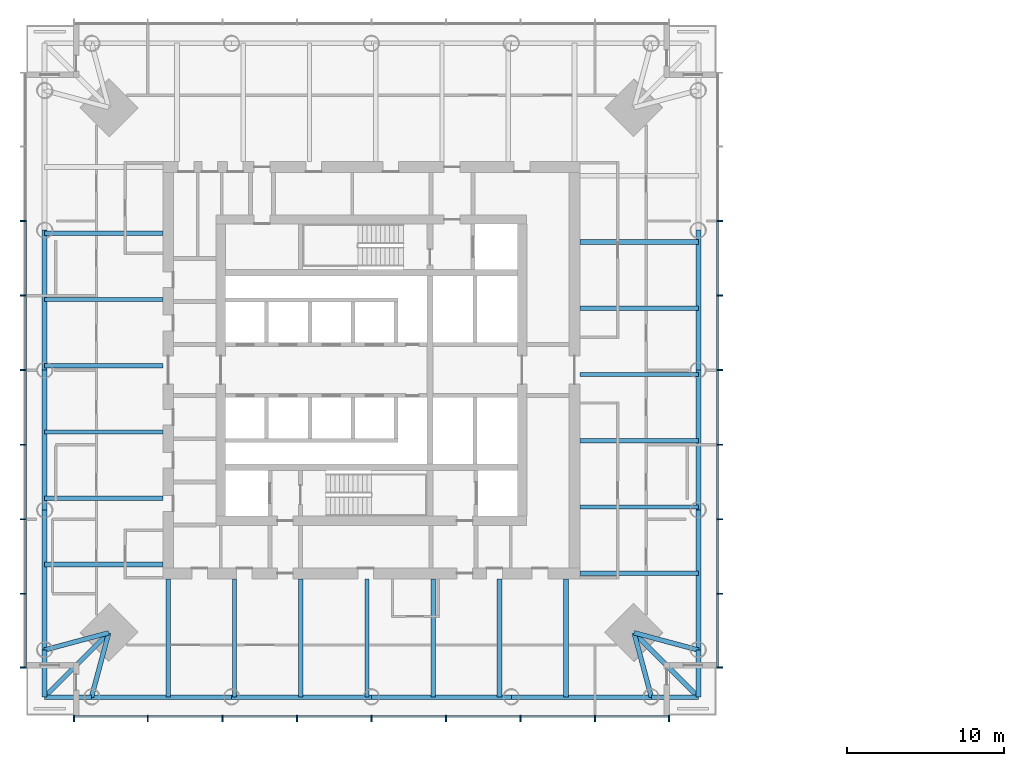
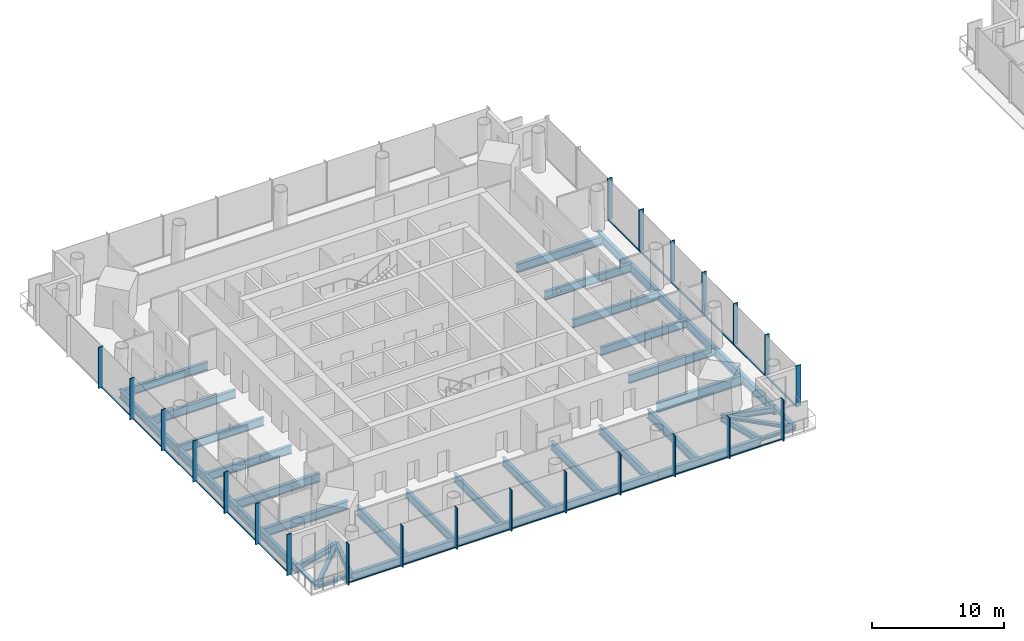
# One storey, part 2 of 19: 43 members, 39 beams, 3 elements without a shape of their own.
"""IFC4 building model written with IfcOpenShell, lengths in metres."""

from ifc_helpers import new_model, si_unit, direction, frame, origin, origin_2d, place, context, subcontext, project, spatial, rectangle, i_section, extrude, material, material_profile, profile_set, type_object, element, aggregate, save


model = new_model("IFC4")

# Units and contexts
model_context = context("Model", 3, precision=1e-05, world=origin(), true_north=direction((0.0, 1.0)))
body_context = subcontext(model_context, "Body", "Model", "MODEL_VIEW")
ifc_project = project(units=[si_unit("LENGTHUNIT", "METRE"), si_unit("AREAUNIT", "SQUARE_METRE"), si_unit("VOLUMEUNIT", "CUBIC_METRE"), si_unit("PLANEANGLEUNIT", "RADIAN"), si_unit("MASSUNIT", "GRAM", prefix="KILO")], contexts=[model_context])

# Site, building, storey
site_placement = place(None, origin())
site = spatial("IfcSite", under=ifc_project, at=site_placement, CompositionType="ELEMENT")
building_placement = place(site_placement, origin())
building = spatial("IfcBuilding", under=site, at=building_placement, Name="Ostroluk Exchange", CompositionType="ELEMENT")
storey_placement = place(building_placement, frame((0.0, 0.0, 119.800048828125)))
storey = spatial("IfcBuildingStorey", under=building, at=storey_placement, Name="L30", CompositionType="ELEMENT", Elevation=119.800048828125)

# Beams
ifc_material_1 = material(Name="Steel S355", Category="steel")
ifc_material_profile_1 = material_profile(ifc_material_1, i_section(OverallWidth=0.300048828125, OverallDepth=0.300048828125, WebThickness=0.010986328125, FlangeThickness=0.01904296875, FilletRadius=0.027099609375, at=origin_2d()), Name="HEB 300")
ifc_profile_set_1 = profile_set([ifc_material_profile_1], Name="Steel S355")
beam_type_1 = type_object("IfcBeamType", Name="Balcony beam HEB 300", PredefinedType="BEAM", material=ifc_profile_set_1)
for number, where, z_axis, x_axis, name in (
    (1, (24.1572265625, 28.1572265625, -0.330078125), (0.0, -1.0, 0.0), (1.0, 0.0, 0.0), "T1 west balcony beam a"),
    (2, (27.1572265625, 25.1572265625, -0.330078125), (-1.0, 0.0, 0.0), (0.0, -1.0, 0.0), "T1 west balcony beam b"),
):
    element("IfcBeam", number, at=place(storey_placement, frame(where, z_axis=z_axis, x_axis=x_axis)), inside=storey, type_object=beam_type_1, Name=name, PredefinedType="BEAM", context=body_context, shape_type="SweptSolid", body=[
        extrude(i_section(OverallWidth=0.300048828125, OverallDepth=0.300048828125, WebThickness=0.010986328125, FlangeThickness=0.01904296875, FilletRadius=0.027099609375, at=origin_2d()), origin(), (0.0, 0.0, 1.0), 3.0),
    ])
beam_1_placement = place(storey_placement, frame((28.257080078125, 29.257080078125, -0.330078125), z_axis=(-0.707106781187, -0.707106781187, 0.0), x_axis=(0.707106781187, -0.707106781187, 0.0)))
element("IfcBeam", 3, at=beam_1_placement, inside=storey, type_object=beam_type_1, Name="T1 west balcony beam c", PredefinedType="BEAM", context=body_context, shape_type="SweptSolid", body=[
    extrude(i_section(OverallWidth=0.300048828125, OverallDepth=0.300048828125, WebThickness=0.010986328125, FlangeThickness=0.01904296875, FilletRadius=0.027099609375, at=origin_2d()), origin(), (0.0, 0.0, 1.0), 5.798095703125),
])
for number, where, z_axis, x_axis, name in (
    (4, (62.8427734375, 25.1572265625, -0.330078125), (1.0, 0.0, 0.0), (0.0, 1.0, 0.0), "T1 south balcony beam a"),
    (5, (65.8427734375, 28.1572265625, -0.330078125), (0.0, -1.0, 0.0), (1.0, 0.0, 0.0), "T1 south balcony beam b"),
):
    element("IfcBeam", number, at=place(storey_placement, frame(where, z_axis=z_axis, x_axis=x_axis)), inside=storey, type_object=beam_type_1, Name=name, PredefinedType="BEAM", context=body_context, shape_type="SweptSolid", body=[
        extrude(i_section(OverallWidth=0.300048828125, OverallDepth=0.300048828125, WebThickness=0.010986328125, FlangeThickness=0.01904296875, FilletRadius=0.027099609375, at=origin_2d()), origin(), (0.0, 0.0, 1.0), 3.0),
    ])
beam_2_placement = place(storey_placement, frame((61.742919921875, 29.257080078125, -0.330078125), z_axis=(0.707106781187, -0.707106781187, 0.0), x_axis=(0.707106781187, 0.707106781187, 0.0)))
element("IfcBeam", 6, at=beam_2_placement, inside=storey, type_object=beam_type_1, Name="T1 south balcony beam c", PredefinedType="BEAM", context=body_context, shape_type="SweptSolid", body=[
    extrude(i_section(OverallWidth=0.300048828125, OverallDepth=0.300048828125, WebThickness=0.010986328125, FlangeThickness=0.01904296875, FilletRadius=0.027099609375, at=origin_2d()), origin(), (0.0, 0.0, 1.0), 5.798095703125),
])
ifc_material_2 = material(Name="Steel S355", Category="steel")
ifc_material_profile_2 = material_profile(ifc_material_2, i_section(OverallWidth=0.300048828125, OverallDepth=0.550048828125, WebThickness=0.014892578125, FlangeThickness=0.029052734375, FilletRadius=0.027099609375, at=origin_2d()), Name="HEB 550")
ifc_profile_set_2 = profile_set([ifc_material_profile_2], Name="Steel S355")
beam_type_2 = type_object("IfcBeamType", Name="Corner edge beam HEB 550", PredefinedType="SPANDREL", material=ifc_profile_set_2)
for number, where, z_axis, x_axis, name in (
    (7, (28.257080078125, 29.257080078125, -0.455078125), (-0.965849156574, -0.259105011038, 0.0), (0.259105011038, -0.965849156574, 0.0), "T1 west corner edge beam a"),
    (8, (28.257080078125, 29.257080078125, -0.455078125), (-0.259105011038, -0.965849156574, 0.0), (0.965849156574, -0.259105011038, 0.0), "T1 west corner edge beam b"),
    (9, (61.742919921875, 29.257080078125, -0.455078125), (0.259105011038, -0.965849156574, 0.0), (0.965849156574, 0.259105011038, 0.0), "T1 south corner edge beam a"),
    (10, (61.742919921875, 29.257080078125, -0.455078125), (0.965849156574, -0.259105011038, 0.0), (0.259105011038, 0.965849156574, 0.0), "T1 south corner edge beam b"),
):
    element("IfcBeam", number, at=place(storey_placement, frame(where, z_axis=z_axis, x_axis=x_axis)), inside=storey, type_object=beam_type_2, Name=name, PredefinedType="SPANDREL", context=body_context, shape_type="SweptSolid", body=[
        extrude(i_section(OverallWidth=0.300048828125, OverallDepth=0.550048828125, WebThickness=0.014892578125, FlangeThickness=0.029052734375, FilletRadius=0.027099609375, at=origin_2d()), origin(), (0.0, 0.0, 1.0), 4.244873046875),
    ])
ifc_material_3 = material(Name="Steel S355", Category="steel")
ifc_material_profile_3 = material_profile(ifc_material_3, i_section(OverallWidth=0.302978515625, OverallDepth=0.81396484375, WebThickness=0.02099609375, FlangeThickness=0.0400390625, FilletRadius=0.030029296875, at=origin_2d()), Name="HEM 800")
ifc_profile_set_3 = profile_set([ifc_material_profile_3], Name="Steel S355")
beam_type_3 = type_object("IfcBeamType", Name="Floor beam HEM 800", PredefinedType="BEAM", material=ifc_profile_set_3)
for number, where, z_axis, x_axis, name in (
    (11, (58.300048828125, 54.170654296875, -0.587158203125), (1.0, 0.0, 0.0), (0.0, 1.0, 0.0), "T1 east floor beam 5"),
    (12, (31.699951171875, 37.829345703125, -0.587158203125), (-1.0, 0.0, 0.0), (0.0, -1.0, 0.0), "T1 west floor beam 5"),
    (13, (31.699951171875, 33.60546875, -0.587158203125), (-1.0, 0.0, 0.0), (0.0, -1.0, 0.0), "T1 west floor beam 6"),
    (14, (53.170654296875, 32.699951171875, -0.587158203125), (0.0, -1.0, 0.0), (1.0, 0.0, 0.0), "T1 south floor beam 5"),
    (15, (57.39453125, 32.699951171875, -0.587158203125), (0.0, -1.0, 0.0), (1.0, 0.0, 0.0), "T1 south floor beam 6"),
):
    element("IfcBeam", number, at=place(storey_placement, frame(where, z_axis=z_axis, x_axis=x_axis)), inside=storey, type_object=beam_type_3, Name=name, PredefinedType="BEAM", context=body_context, shape_type="SweptSolid", body=[
        extrude(i_section(OverallWidth=0.302978515625, OverallDepth=0.81396484375, WebThickness=0.02099609375, FlangeThickness=0.0400390625, FilletRadius=0.030029296875, at=origin_2d()), origin(), (0.0, 0.0, 1.0), 7.542724609375),
    ])
ifc_material_4 = material(Name="Steel S355", Category="steel")
ifc_material_profile_4 = material_profile(ifc_material_4, i_section(OverallWidth=0.26708984375, OverallDepth=0.761962890625, WebThickness=0.014404296875, FlangeThickness=0.021484375, FilletRadius=0.01708984375, at=origin_2d()), Name="IPE 750x173")
ifc_profile_set_4 = profile_set([ifc_material_profile_4], Name="Steel S355")
beam_type_4 = type_object("IfcBeamType", Name="Floor beam IPE 750x173", PredefinedType="BEAM", material=ifc_profile_set_4)
for number, where, z_axis, x_axis, name in (
    (16, (58.300048828125, 37.274169921875, -0.56103515625), (1.0, 0.0, 0.0), (0.0, 1.0, 0.0), "T1 east floor beam 1"),
    (17, (58.300048828125, 41.498291015625, -0.56103515625), (1.0, 0.0, 0.0), (0.0, 1.0, 0.0), "T1 east floor beam 2"),
    (18, (58.300048828125, 45.722412109375, -0.56103515625), (1.0, 0.0, 0.0), (0.0, 1.0, 0.0), "T1 east floor beam 3"),
    (19, (58.300048828125, 49.946533203125, -0.56103515625), (1.0, 0.0, 0.0), (0.0, 1.0, 0.0), "T1 east floor beam 4"),
    (20, (31.699951171875, 54.725830078125, -0.56103515625), (-1.0, 0.0, 0.0), (0.0, -1.0, 0.0), "T1 west floor beam 1"),
    (21, (31.699951171875, 50.501708984375, -0.56103515625), (-1.0, 0.0, 0.0), (0.0, -1.0, 0.0), "T1 west floor beam 2"),
    (22, (31.699951171875, 46.277587890625, -0.56103515625), (-1.0, 0.0, 0.0), (0.0, -1.0, 0.0), "T1 west floor beam 3"),
    (23, (31.699951171875, 42.053466796875, -0.56103515625), (-1.0, 0.0, 0.0), (0.0, -1.0, 0.0), "T1 west floor beam 4"),
    (24, (36.274169921875, 32.699951171875, -0.56103515625), (0.0, -1.0, 0.0), (1.0, 0.0, 0.0), "T1 south floor beam 1"),
    (25, (40.498291015625, 32.699951171875, -0.56103515625), (0.0, -1.0, 0.0), (1.0, 0.0, 0.0), "T1 south floor beam 2"),
    (26, (44.722412109375, 32.699951171875, -0.56103515625), (0.0, -1.0, 0.0), (1.0, 0.0, 0.0), "T1 south floor beam 3"),
    (27, (48.946533203125, 32.699951171875, -0.56103515625), (0.0, -1.0, 0.0), (1.0, 0.0, 0.0), "T1 south floor beam 4"),
):
    element("IfcBeam", number, at=place(storey_placement, frame(where, z_axis=z_axis, x_axis=x_axis)), inside=storey, type_object=beam_type_4, Name=name, PredefinedType="BEAM", context=body_context, shape_type="SweptSolid", body=[
        extrude(i_section(OverallWidth=0.26708984375, OverallDepth=0.761962890625, WebThickness=0.014404296875, FlangeThickness=0.021484375, FilletRadius=0.01708984375, at=origin_2d()), origin(), (0.0, 0.0, 1.0), 7.542724609375),
    ])
ifc_material_5 = material(Name="Steel S355", Category="steel")
ifc_material_profile_5 = material_profile(ifc_material_5, i_section(OverallWidth=0.300048828125, OverallDepth=0.89990234375, WebThickness=0.0185546875, FlangeThickness=0.034912109375, FilletRadius=0.030029296875, at=origin_2d()), Name="HEB 900")
ifc_profile_set_5 = profile_set([ifc_material_profile_5], Name="Steel S355")
beam_type_5 = type_object("IfcBeamType", Name="Girder HEB 900", PredefinedType="BEAM", material=ifc_profile_set_5)
for number, where, z_axis, x_axis, name in (
    (28, (32.050048828125, 32.699951171875, -0.630126953125), (0.0, -1.0, 0.0), (1.0, 0.0, 0.0), "T1 west girder"),
    (29, (58.300048828125, 33.050048828125, -0.630126953125), (1.0, 0.0, 0.0), (0.0, 1.0, 0.0), "T1 south girder"),
):
    element("IfcBeam", number, at=place(storey_placement, frame(where, z_axis=z_axis, x_axis=x_axis)), inside=storey, type_object=beam_type_5, Name=name, PredefinedType="BEAM", context=body_context, shape_type="SweptSolid", body=[
        extrude(i_section(OverallWidth=0.300048828125, OverallDepth=0.89990234375, WebThickness=0.0185546875, FlangeThickness=0.034912109375, FilletRadius=0.030029296875, at=origin_2d()), origin(), (0.0, 0.0, 1.0), 7.542724609375),
    ])
ifc_material_6 = material(Name="Steel S355", Category="steel")
ifc_material_profile_6 = material_profile(ifc_material_6, i_section(OverallWidth=0.300048828125, OverallDepth=0.800048828125, WebThickness=0.017578125, FlangeThickness=0.032958984375, FilletRadius=0.030029296875, at=origin_2d()), Name="HEB 800")
ifc_profile_set_6 = profile_set([ifc_material_profile_6], Name="Steel S355")
beam_type_6 = type_object("IfcBeamType", Name="Moment-connected edge beam HEB 800", PredefinedType="SPANDREL", material=ifc_profile_set_6)
for number, where, z_axis, x_axis, name in (
    (30, (65.8427734375, 28.1572265625, -0.580078125), (0.0, 1.0, 0.0), (-1.0, 0.0, 0.0), "T1 east edge beam 1"),
    (31, (65.8427734375, 37.07861328125, -0.580078125), (0.0, 1.0, 0.0), (-1.0, 0.0, 0.0), "T1 east edge beam 2"),
    (32, (65.8427734375, 46.0, -0.580078125), (0.0, 1.0, 0.0), (-1.0, 0.0, 0.0), "T1 east edge beam 3"),
    (33, (24.1572265625, 54.92138671875, -0.580078125), (0.0, -1.0, 0.0), (1.0, 0.0, 0.0), "T1 west edge beam 2"),
    (34, (24.1572265625, 46.0, -0.580078125), (0.0, -1.0, 0.0), (1.0, 0.0, 0.0), "T1 west edge beam 3"),
    (35, (24.1572265625, 37.07861328125, -0.580078125), (0.0, -1.0, 0.0), (1.0, 0.0, 0.0), "T1 west edge beam 4"),
    (36, (27.1572265625, 25.1572265625, -0.580078125), (1.0, 0.0, 0.0), (0.0, 1.0, 0.0), "T1 south edge beam 1"),
    (37, (36.07861328125, 25.1572265625, -0.580078125), (1.0, 0.0, 0.0), (0.0, 1.0, 0.0), "T1 south edge beam 2"),
    (38, (45.0, 25.1572265625, -0.580078125), (1.0, 0.0, 0.0), (0.0, 1.0, 0.0), "T1 south edge beam 3"),
    (39, (53.92138671875, 25.1572265625, -0.580078125), (1.0, 0.0, 0.0), (0.0, 1.0, 0.0), "T1 south edge beam 4"),
):
    element("IfcBeam", number, at=place(storey_placement, frame(where, z_axis=z_axis, x_axis=x_axis)), inside=storey, type_object=beam_type_6, Name=name, PredefinedType="SPANDREL", context=body_context, shape_type="SweptSolid", body=[
        extrude(i_section(OverallWidth=0.300048828125, OverallDepth=0.800048828125, WebThickness=0.017578125, FlangeThickness=0.032958984375, FilletRadius=0.030029296875, at=origin_2d()), origin(), (0.0, 0.0, 1.0), 8.92138671875),
    ])

# Curtain wall, members
ifc_material_7 = material(Name="Laminated clear glass", Category="glass")
curtain_wall_type = type_object("IfcCurtainWallType", Name="Office tower facade", PredefinedType="USERDEFINED", material=ifc_material_7)
curtain_wall_1_placement = place(storey_placement, origin())
curtain_wall_1 = element("IfcCurtainWall", 40, at=curtain_wall_1_placement, inside=storey, type_object=curtain_wall_type, Name="Office tower south facade L30", ObjectType="UNITISED CURTAIN WALL", PredefinedType="USERDEFINED")
ifc_material_8 = material(Name="Aluminium mullion", Category="aluminium")
ifc_material_profile_7 = material_profile(ifc_material_8, rectangle(XDim=0.14990234375, YDim=0.080078125, at=origin_2d()), Name="Sill transom 80 x 150")
ifc_profile_set_7 = profile_set([ifc_material_profile_7], Name="Aluminium mullion")
member_type_1 = type_object("IfcMemberType", Name="Sill transom 80 x 150", PredefinedType="USERDEFINED", material=ifc_profile_set_7)
member_1_placement = place(storey_placement, frame((26.080078125, 23.925048828125, 0.0400390625), z_axis=(1.0, 0.0, 0.0), x_axis=(0.0, 1.0, 0.0)))
member_1 = element("IfcMember", 41, at=member_1_placement, type_object=member_type_1, Name="CW-O1 transom 1.1", ObjectType="TRANSOM", PredefinedType="USERDEFINED", context=body_context, shape_type="SweptSolid", body=[
    extrude(rectangle(XDim=0.14990234375, YDim=0.080078125, at=origin_2d()), origin(), (0.0, 0.0, 1.0), 4.6298828125),
])
member_2_placement = place(storey_placement, frame((30.7900390625, 23.925048828125, 0.0400390625), z_axis=(1.0, 0.0, 0.0), x_axis=(0.0, 1.0, 0.0)))
member_2 = element("IfcMember", 42, at=member_2_placement, type_object=member_type_1, Name="CW-O1 transom 2.1", ObjectType="TRANSOM", PredefinedType="USERDEFINED", context=body_context, shape_type="SweptSolid", body=[
    extrude(rectangle(XDim=0.14990234375, YDim=0.080078125, at=origin_2d()), origin(), (0.0, 0.0, 1.0), 4.669921875),
])
member_3_placement = place(storey_placement, frame((35.5400390625, 23.925048828125, 0.0400390625), z_axis=(1.0, 0.0, 0.0), x_axis=(0.0, 1.0, 0.0)))
member_3 = element("IfcMember", 43, at=member_3_placement, type_object=member_type_1, Name="CW-O1 transom 3.1", ObjectType="TRANSOM", PredefinedType="USERDEFINED", context=body_context, shape_type="SweptSolid", body=[
    extrude(rectangle(XDim=0.14990234375, YDim=0.080078125, at=origin_2d()), origin(), (0.0, 0.0, 1.0), 4.669921875),
])
member_4_placement = place(storey_placement, frame((40.2900390625, 23.925048828125, 0.0400390625), z_axis=(1.0, 0.0, 0.0), x_axis=(0.0, 1.0, 0.0)))
member_4 = element("IfcMember", 44, at=member_4_placement, type_object=member_type_1, Name="CW-O1 transom 4.1", ObjectType="TRANSOM", PredefinedType="USERDEFINED", context=body_context, shape_type="SweptSolid", body=[
    extrude(rectangle(XDim=0.14990234375, YDim=0.080078125, at=origin_2d()), origin(), (0.0, 0.0, 1.0), 4.669921875),
])
member_5_placement = place(storey_placement, frame((45.0400390625, 23.925048828125, 0.0400390625), z_axis=(1.0, 0.0, 0.0), x_axis=(0.0, 1.0, 0.0)))
member_5 = element("IfcMember", 45, at=member_5_placement, type_object=member_type_1, Name="CW-O1 transom 5.1", ObjectType="TRANSOM", PredefinedType="USERDEFINED", context=body_context, shape_type="SweptSolid", body=[
    extrude(rectangle(XDim=0.14990234375, YDim=0.080078125, at=origin_2d()), origin(), (0.0, 0.0, 1.0), 4.669921875),
])
member_6_placement = place(storey_placement, frame((49.7900390625, 23.925048828125, 0.0400390625), z_axis=(1.0, 0.0, 0.0), x_axis=(0.0, 1.0, 0.0)))
member_6 = element("IfcMember", 46, at=member_6_placement, type_object=member_type_1, Name="CW-O1 transom 6.1", ObjectType="TRANSOM", PredefinedType="USERDEFINED", context=body_context, shape_type="SweptSolid", body=[
    extrude(rectangle(XDim=0.14990234375, YDim=0.080078125, at=origin_2d()), origin(), (0.0, 0.0, 1.0), 4.669921875),
])
member_7_placement = place(storey_placement, frame((54.5400390625, 23.925048828125, 0.0400390625), z_axis=(1.0, 0.0, 0.0), x_axis=(0.0, 1.0, 0.0)))
member_7 = element("IfcMember", 47, at=member_7_placement, type_object=member_type_1, Name="CW-O1 transom 7.1", ObjectType="TRANSOM", PredefinedType="USERDEFINED", context=body_context, shape_type="SweptSolid", body=[
    extrude(rectangle(XDim=0.14990234375, YDim=0.080078125, at=origin_2d()), origin(), (0.0, 0.0, 1.0), 4.669921875),
])
member_8_placement = place(storey_placement, frame((59.2900390625, 23.925048828125, 0.0400390625), z_axis=(1.0, 0.0, 0.0), x_axis=(0.0, 1.0, 0.0)))
member_8 = element("IfcMember", 48, at=member_8_placement, type_object=member_type_1, Name="CW-O1 transom 8.1", ObjectType="TRANSOM", PredefinedType="USERDEFINED", context=body_context, shape_type="SweptSolid", body=[
    extrude(rectangle(XDim=0.14990234375, YDim=0.080078125, at=origin_2d()), origin(), (0.0, 0.0, 1.0), 4.6298828125),
])

curtain_wall_2_placement = place(storey_placement, origin())
curtain_wall_2 = element("IfcCurtainWall", 49, at=curtain_wall_2_placement, inside=storey, type_object=curtain_wall_type, Name="Office tower east facade L30", ObjectType="UNITISED CURTAIN WALL", PredefinedType="USERDEFINED")
member_9_placement = place(storey_placement, frame((67.074951171875, 27.080078125, 0.0400390625), z_axis=(0.0, 1.0, 0.0), x_axis=(-1.0, 0.0, 0.0)))
member_9 = element("IfcMember", 50, at=member_9_placement, type_object=member_type_1, Name="CW-O1 transom 1.1", ObjectType="TRANSOM", PredefinedType="USERDEFINED", context=body_context, shape_type="SweptSolid", body=[
    extrude(rectangle(XDim=0.14990234375, YDim=0.080078125, at=origin_2d()), origin(), (0.0, 0.0, 1.0), 4.6298828125),
])
member_10_placement = place(storey_placement, frame((67.074951171875, 31.7900390625, 0.0400390625), z_axis=(0.0, 1.0, 0.0), x_axis=(-1.0, 0.0, 0.0)))
member_10 = element("IfcMember", 51, at=member_10_placement, type_object=member_type_1, Name="CW-O1 transom 2.1", ObjectType="TRANSOM", PredefinedType="USERDEFINED", context=body_context, shape_type="SweptSolid", body=[
    extrude(rectangle(XDim=0.14990234375, YDim=0.080078125, at=origin_2d()), origin(), (0.0, 0.0, 1.0), 4.669921875),
])
member_11_placement = place(storey_placement, frame((67.074951171875, 36.5400390625, 0.0400390625), z_axis=(0.0, 1.0, 0.0), x_axis=(-1.0, 0.0, 0.0)))
member_11 = element("IfcMember", 52, at=member_11_placement, type_object=member_type_1, Name="CW-O1 transom 3.1", ObjectType="TRANSOM", PredefinedType="USERDEFINED", context=body_context, shape_type="SweptSolid", body=[
    extrude(rectangle(XDim=0.14990234375, YDim=0.080078125, at=origin_2d()), origin(), (0.0, 0.0, 1.0), 4.669921875),
])
member_12_placement = place(storey_placement, frame((67.074951171875, 41.2900390625, 0.0400390625), z_axis=(0.0, 1.0, 0.0), x_axis=(-1.0, 0.0, 0.0)))
member_12 = element("IfcMember", 53, at=member_12_placement, type_object=member_type_1, Name="CW-O1 transom 4.1", ObjectType="TRANSOM", PredefinedType="USERDEFINED", context=body_context, shape_type="SweptSolid", body=[
    extrude(rectangle(XDim=0.14990234375, YDim=0.080078125, at=origin_2d()), origin(), (0.0, 0.0, 1.0), 4.669921875),
])
member_13_placement = place(storey_placement, frame((67.074951171875, 46.0400390625, 0.0400390625), z_axis=(0.0, 1.0, 0.0), x_axis=(-1.0, 0.0, 0.0)))
member_13 = element("IfcMember", 54, at=member_13_placement, type_object=member_type_1, Name="CW-O1 transom 5.1", ObjectType="TRANSOM", PredefinedType="USERDEFINED", context=body_context, shape_type="SweptSolid", body=[
    extrude(rectangle(XDim=0.14990234375, YDim=0.080078125, at=origin_2d()), origin(), (0.0, 0.0, 1.0), 4.669921875),
])
member_14_placement = place(storey_placement, frame((67.074951171875, 50.7900390625, 0.0400390625), z_axis=(0.0, 1.0, 0.0), x_axis=(-1.0, 0.0, 0.0)))
member_14 = element("IfcMember", 55, at=member_14_placement, type_object=member_type_1, Name="CW-O1 transom 6.1", ObjectType="TRANSOM", PredefinedType="USERDEFINED", context=body_context, shape_type="SweptSolid", body=[
    extrude(rectangle(XDim=0.14990234375, YDim=0.080078125, at=origin_2d()), origin(), (0.0, 0.0, 1.0), 4.669921875),
])

curtain_wall_3_placement = place(storey_placement, origin())
curtain_wall_3 = element("IfcCurtainWall", 56, at=curtain_wall_3_placement, inside=storey, type_object=curtain_wall_type, Name="Office tower west facade L30", ObjectType="UNITISED CURTAIN WALL", PredefinedType="USERDEFINED")
member_15_placement = place(storey_placement, frame((22.925048828125, 55.4599609375, 0.0400390625), z_axis=(0.0, -1.0, 0.0), x_axis=(1.0, 0.0, 0.0)))
member_15 = element("IfcMember", 57, at=member_15_placement, type_object=member_type_1, Name="CW-O1 transom 3.1", ObjectType="TRANSOM", PredefinedType="USERDEFINED", context=body_context, shape_type="SweptSolid", body=[
    extrude(rectangle(XDim=0.14990234375, YDim=0.080078125, at=origin_2d()), origin(), (0.0, 0.0, 1.0), 4.669921875),
])
member_16_placement = place(storey_placement, frame((22.925048828125, 50.7099609375, 0.0400390625), z_axis=(0.0, -1.0, 0.0), x_axis=(1.0, 0.0, 0.0)))
member_16 = element("IfcMember", 58, at=member_16_placement, type_object=member_type_1, Name="CW-O1 transom 4.1", ObjectType="TRANSOM", PredefinedType="USERDEFINED", context=body_context, shape_type="SweptSolid", body=[
    extrude(rectangle(XDim=0.14990234375, YDim=0.080078125, at=origin_2d()), origin(), (0.0, 0.0, 1.0), 4.669921875),
])
member_17_placement = place(storey_placement, frame((22.925048828125, 45.9599609375, 0.0400390625), z_axis=(0.0, -1.0, 0.0), x_axis=(1.0, 0.0, 0.0)))
member_17 = element("IfcMember", 59, at=member_17_placement, type_object=member_type_1, Name="CW-O1 transom 5.1", ObjectType="TRANSOM", PredefinedType="USERDEFINED", context=body_context, shape_type="SweptSolid", body=[
    extrude(rectangle(XDim=0.14990234375, YDim=0.080078125, at=origin_2d()), origin(), (0.0, 0.0, 1.0), 4.669921875),
])
member_18_placement = place(storey_placement, frame((22.925048828125, 41.2099609375, 0.0400390625), z_axis=(0.0, -1.0, 0.0), x_axis=(1.0, 0.0, 0.0)))
member_18 = element("IfcMember", 60, at=member_18_placement, type_object=member_type_1, Name="CW-O1 transom 6.1", ObjectType="TRANSOM", PredefinedType="USERDEFINED", context=body_context, shape_type="SweptSolid", body=[
    extrude(rectangle(XDim=0.14990234375, YDim=0.080078125, at=origin_2d()), origin(), (0.0, 0.0, 1.0), 4.669921875),
])
member_19_placement = place(storey_placement, frame((22.925048828125, 36.4599609375, 0.0400390625), z_axis=(0.0, -1.0, 0.0), x_axis=(1.0, 0.0, 0.0)))
member_19 = element("IfcMember", 61, at=member_19_placement, type_object=member_type_1, Name="CW-O1 transom 7.1", ObjectType="TRANSOM", PredefinedType="USERDEFINED", context=body_context, shape_type="SweptSolid", body=[
    extrude(rectangle(XDim=0.14990234375, YDim=0.080078125, at=origin_2d()), origin(), (0.0, 0.0, 1.0), 4.669921875),
])
member_20_placement = place(storey_placement, frame((22.925048828125, 31.7099609375, 0.0400390625), z_axis=(0.0, -1.0, 0.0), x_axis=(1.0, 0.0, 0.0)))
member_20 = element("IfcMember", 62, at=member_20_placement, type_object=member_type_1, Name="CW-O1 transom 8.1", ObjectType="TRANSOM", PredefinedType="USERDEFINED", context=body_context, shape_type="SweptSolid", body=[
    extrude(rectangle(XDim=0.14990234375, YDim=0.080078125, at=origin_2d()), origin(), (0.0, 0.0, 1.0), 4.6298828125),
])

# Member
ifc_material_9 = material(Name="Aluminium mullion with limestone facing", Category="masonry")
ifc_material_profile_8 = material_profile(ifc_material_9, rectangle(XDim=0.39990234375, YDim=0.080078125, at=origin_2d()), Name="Tracery mullion 80 x 400")
ifc_profile_set_8 = profile_set([ifc_material_profile_8], Name="Aluminium mullion with limestone facing")
member_type_2 = type_object("IfcMemberType", Name="Tracery mullion 80 x 400", PredefinedType="MULLION", material=ifc_profile_set_8)
member_21_placement = place(storey_placement, frame((26.0400390625, 23.800048828125, 0.0), z_axis=(0.0, 0.0, 1.0), x_axis=(0.0, 1.0, 0.0)))
member_21 = element("IfcMember", 63, at=member_21_placement, type_object=member_type_2, Name="CW-O1 mullion 1", PredefinedType="MULLION", context=body_context, shape_type="SweptSolid", body=[
    extrude(rectangle(XDim=0.39990234375, YDim=0.080078125, at=origin_2d()), origin(), (0.0, 0.0, 1.0), 3.800048828125),
])

member_22_placement = place(storey_placement, frame((30.75, 23.800048828125, 0.0), z_axis=(0.0, 0.0, 1.0), x_axis=(0.0, 1.0, 0.0)))
member_22 = element("IfcMember", 64, at=member_22_placement, type_object=member_type_2, Name="CW-O1 mullion 2", PredefinedType="MULLION", context=body_context, shape_type="SweptSolid", body=[
    extrude(rectangle(XDim=0.39990234375, YDim=0.080078125, at=origin_2d()), origin(), (0.0, 0.0, 1.0), 3.800048828125),
])

member_23_placement = place(storey_placement, frame((35.5, 23.800048828125, 0.0), z_axis=(0.0, 0.0, 1.0), x_axis=(0.0, 1.0, 0.0)))
member_23 = element("IfcMember", 65, at=member_23_placement, type_object=member_type_2, Name="CW-O1 mullion 3", PredefinedType="MULLION", context=body_context, shape_type="SweptSolid", body=[
    extrude(rectangle(XDim=0.39990234375, YDim=0.080078125, at=origin_2d()), origin(), (0.0, 0.0, 1.0), 3.800048828125),
])

member_24_placement = place(storey_placement, frame((40.25, 23.800048828125, 0.0), z_axis=(0.0, 0.0, 1.0), x_axis=(0.0, 1.0, 0.0)))
member_24 = element("IfcMember", 66, at=member_24_placement, type_object=member_type_2, Name="CW-O1 mullion 4", PredefinedType="MULLION", context=body_context, shape_type="SweptSolid", body=[
    extrude(rectangle(XDim=0.39990234375, YDim=0.080078125, at=origin_2d()), origin(), (0.0, 0.0, 1.0), 3.800048828125),
])

member_25_placement = place(storey_placement, frame((45.0, 23.800048828125, 0.0), z_axis=(0.0, 0.0, 1.0), x_axis=(0.0, 1.0, 0.0)))
member_25 = element("IfcMember", 67, at=member_25_placement, type_object=member_type_2, Name="CW-O1 mullion 5", PredefinedType="MULLION", context=body_context, shape_type="SweptSolid", body=[
    extrude(rectangle(XDim=0.39990234375, YDim=0.080078125, at=origin_2d()), origin(), (0.0, 0.0, 1.0), 3.800048828125),
])

member_26_placement = place(storey_placement, frame((49.75, 23.800048828125, 0.0), z_axis=(0.0, 0.0, 1.0), x_axis=(0.0, 1.0, 0.0)))
member_26 = element("IfcMember", 68, at=member_26_placement, type_object=member_type_2, Name="CW-O1 mullion 6", PredefinedType="MULLION", context=body_context, shape_type="SweptSolid", body=[
    extrude(rectangle(XDim=0.39990234375, YDim=0.080078125, at=origin_2d()), origin(), (0.0, 0.0, 1.0), 3.800048828125),
])

member_27_placement = place(storey_placement, frame((54.5, 23.800048828125, 0.0), z_axis=(0.0, 0.0, 1.0), x_axis=(0.0, 1.0, 0.0)))
member_27 = element("IfcMember", 69, at=member_27_placement, type_object=member_type_2, Name="CW-O1 mullion 7", PredefinedType="MULLION", context=body_context, shape_type="SweptSolid", body=[
    extrude(rectangle(XDim=0.39990234375, YDim=0.080078125, at=origin_2d()), origin(), (0.0, 0.0, 1.0), 3.800048828125),
])

member_28_placement = place(storey_placement, frame((59.25, 23.800048828125, 0.0), z_axis=(0.0, 0.0, 1.0), x_axis=(0.0, 1.0, 0.0)))
member_28 = element("IfcMember", 70, at=member_28_placement, type_object=member_type_2, Name="CW-O1 mullion 8", PredefinedType="MULLION", context=body_context, shape_type="SweptSolid", body=[
    extrude(rectangle(XDim=0.39990234375, YDim=0.080078125, at=origin_2d()), origin(), (0.0, 0.0, 1.0), 3.800048828125),
])

member_29_placement = place(storey_placement, frame((63.9599609375, 23.800048828125, 0.0), z_axis=(0.0, 0.0, 1.0), x_axis=(0.0, 1.0, 0.0)))
member_29 = element("IfcMember", 71, at=member_29_placement, type_object=member_type_2, Name="CW-O1 mullion 9", PredefinedType="MULLION", context=body_context, shape_type="SweptSolid", body=[
    extrude(rectangle(XDim=0.39990234375, YDim=0.080078125, at=origin_2d()), origin(), (0.0, 0.0, 1.0), 3.800048828125),
])

aggregate(curtain_wall_1, [member_21, member_22, member_23, member_24, member_25, member_26, member_27, member_28, member_29, member_1, member_2, member_3, member_4, member_5, member_6, member_7, member_8])

member_30_placement = place(storey_placement, frame((67.199951171875, 27.0400390625, 0.0), z_axis=(0.0, 0.0, 1.0), x_axis=(-1.0, 0.0, 0.0)))
member_30 = element("IfcMember", 72, at=member_30_placement, type_object=member_type_2, Name="CW-O1 mullion 1", PredefinedType="MULLION", context=body_context, shape_type="SweptSolid", body=[
    extrude(rectangle(XDim=0.39990234375, YDim=0.080078125, at=origin_2d()), origin(), (0.0, 0.0, 1.0), 3.800048828125),
])

member_31_placement = place(storey_placement, frame((67.199951171875, 31.75, 0.0), z_axis=(0.0, 0.0, 1.0), x_axis=(-1.0, 0.0, 0.0)))
member_31 = element("IfcMember", 73, at=member_31_placement, type_object=member_type_2, Name="CW-O1 mullion 2", PredefinedType="MULLION", context=body_context, shape_type="SweptSolid", body=[
    extrude(rectangle(XDim=0.39990234375, YDim=0.080078125, at=origin_2d()), origin(), (0.0, 0.0, 1.0), 3.800048828125),
])

member_32_placement = place(storey_placement, frame((67.199951171875, 36.5, 0.0), z_axis=(0.0, 0.0, 1.0), x_axis=(-1.0, 0.0, 0.0)))
member_32 = element("IfcMember", 74, at=member_32_placement, type_object=member_type_2, Name="CW-O1 mullion 3", PredefinedType="MULLION", context=body_context, shape_type="SweptSolid", body=[
    extrude(rectangle(XDim=0.39990234375, YDim=0.080078125, at=origin_2d()), origin(), (0.0, 0.0, 1.0), 3.800048828125),
])

member_33_placement = place(storey_placement, frame((67.199951171875, 41.25, 0.0), z_axis=(0.0, 0.0, 1.0), x_axis=(-1.0, 0.0, 0.0)))
member_33 = element("IfcMember", 75, at=member_33_placement, type_object=member_type_2, Name="CW-O1 mullion 4", PredefinedType="MULLION", context=body_context, shape_type="SweptSolid", body=[
    extrude(rectangle(XDim=0.39990234375, YDim=0.080078125, at=origin_2d()), origin(), (0.0, 0.0, 1.0), 3.800048828125),
])

member_34_placement = place(storey_placement, frame((67.199951171875, 46.0, 0.0), z_axis=(0.0, 0.0, 1.0), x_axis=(-1.0, 0.0, 0.0)))
member_34 = element("IfcMember", 76, at=member_34_placement, type_object=member_type_2, Name="CW-O1 mullion 5", PredefinedType="MULLION", context=body_context, shape_type="SweptSolid", body=[
    extrude(rectangle(XDim=0.39990234375, YDim=0.080078125, at=origin_2d()), origin(), (0.0, 0.0, 1.0), 3.800048828125),
])

member_35_placement = place(storey_placement, frame((67.199951171875, 50.75, 0.0), z_axis=(0.0, 0.0, 1.0), x_axis=(-1.0, 0.0, 0.0)))
member_35 = element("IfcMember", 77, at=member_35_placement, type_object=member_type_2, Name="CW-O1 mullion 6", PredefinedType="MULLION", context=body_context, shape_type="SweptSolid", body=[
    extrude(rectangle(XDim=0.39990234375, YDim=0.080078125, at=origin_2d()), origin(), (0.0, 0.0, 1.0), 3.800048828125),
])

member_36_placement = place(storey_placement, frame((67.199951171875, 55.5, 0.0), z_axis=(0.0, 0.0, 1.0), x_axis=(-1.0, 0.0, 0.0)))
member_36 = element("IfcMember", 78, at=member_36_placement, type_object=member_type_2, Name="CW-O1 mullion 7", PredefinedType="MULLION", context=body_context, shape_type="SweptSolid", body=[
    extrude(rectangle(XDim=0.39990234375, YDim=0.080078125, at=origin_2d()), origin(), (0.0, 0.0, 1.0), 3.800048828125),
])

aggregate(curtain_wall_2, [member_30, member_31, member_32, member_33, member_34, member_35, member_36, member_9, member_10, member_11, member_12, member_13, member_14])

member_37_placement = place(storey_placement, frame((22.800048828125, 55.5, 0.0), z_axis=(0.0, 0.0, 1.0), x_axis=(1.0, 0.0, 0.0)))
member_37 = element("IfcMember", 79, at=member_37_placement, type_object=member_type_2, Name="CW-O1 mullion 3", PredefinedType="MULLION", context=body_context, shape_type="SweptSolid", body=[
    extrude(rectangle(XDim=0.39990234375, YDim=0.080078125, at=origin_2d()), origin(), (0.0, 0.0, 1.0), 3.800048828125),
])

member_38_placement = place(storey_placement, frame((22.800048828125, 50.75, 0.0), z_axis=(0.0, 0.0, 1.0), x_axis=(1.0, 0.0, 0.0)))
member_38 = element("IfcMember", 80, at=member_38_placement, type_object=member_type_2, Name="CW-O1 mullion 4", PredefinedType="MULLION", context=body_context, shape_type="SweptSolid", body=[
    extrude(rectangle(XDim=0.39990234375, YDim=0.080078125, at=origin_2d()), origin(), (0.0, 0.0, 1.0), 3.800048828125),
])

member_39_placement = place(storey_placement, frame((22.800048828125, 46.0, 0.0), z_axis=(0.0, 0.0, 1.0), x_axis=(1.0, 0.0, 0.0)))
member_39 = element("IfcMember", 81, at=member_39_placement, type_object=member_type_2, Name="CW-O1 mullion 5", PredefinedType="MULLION", context=body_context, shape_type="SweptSolid", body=[
    extrude(rectangle(XDim=0.39990234375, YDim=0.080078125, at=origin_2d()), origin(), (0.0, 0.0, 1.0), 3.800048828125),
])

member_40_placement = place(storey_placement, frame((22.800048828125, 41.25, 0.0), z_axis=(0.0, 0.0, 1.0), x_axis=(1.0, 0.0, 0.0)))
member_40 = element("IfcMember", 82, at=member_40_placement, type_object=member_type_2, Name="CW-O1 mullion 6", PredefinedType="MULLION", context=body_context, shape_type="SweptSolid", body=[
    extrude(rectangle(XDim=0.39990234375, YDim=0.080078125, at=origin_2d()), origin(), (0.0, 0.0, 1.0), 3.800048828125),
])

member_41_placement = place(storey_placement, frame((22.800048828125, 36.5, 0.0), z_axis=(0.0, 0.0, 1.0), x_axis=(1.0, 0.0, 0.0)))
member_41 = element("IfcMember", 83, at=member_41_placement, type_object=member_type_2, Name="CW-O1 mullion 7", PredefinedType="MULLION", context=body_context, shape_type="SweptSolid", body=[
    extrude(rectangle(XDim=0.39990234375, YDim=0.080078125, at=origin_2d()), origin(), (0.0, 0.0, 1.0), 3.800048828125),
])

member_42_placement = place(storey_placement, frame((22.800048828125, 31.75, 0.0), z_axis=(0.0, 0.0, 1.0), x_axis=(1.0, 0.0, 0.0)))
member_42 = element("IfcMember", 84, at=member_42_placement, type_object=member_type_2, Name="CW-O1 mullion 8", PredefinedType="MULLION", context=body_context, shape_type="SweptSolid", body=[
    extrude(rectangle(XDim=0.39990234375, YDim=0.080078125, at=origin_2d()), origin(), (0.0, 0.0, 1.0), 3.800048828125),
])

member_43_placement = place(storey_placement, frame((22.800048828125, 27.0400390625, 0.0), z_axis=(0.0, 0.0, 1.0), x_axis=(1.0, 0.0, 0.0)))
member_43 = element("IfcMember", 85, at=member_43_placement, type_object=member_type_2, Name="CW-O1 mullion 9", PredefinedType="MULLION", context=body_context, shape_type="SweptSolid", body=[
    extrude(rectangle(XDim=0.39990234375, YDim=0.080078125, at=origin_2d()), origin(), (0.0, 0.0, 1.0), 3.800048828125),
])

aggregate(curtain_wall_3, [member_37, member_38, member_39, member_40, member_41, member_42, member_43, member_15, member_16, member_17, member_18, member_19, member_20])

save(model, "model.ifc")
